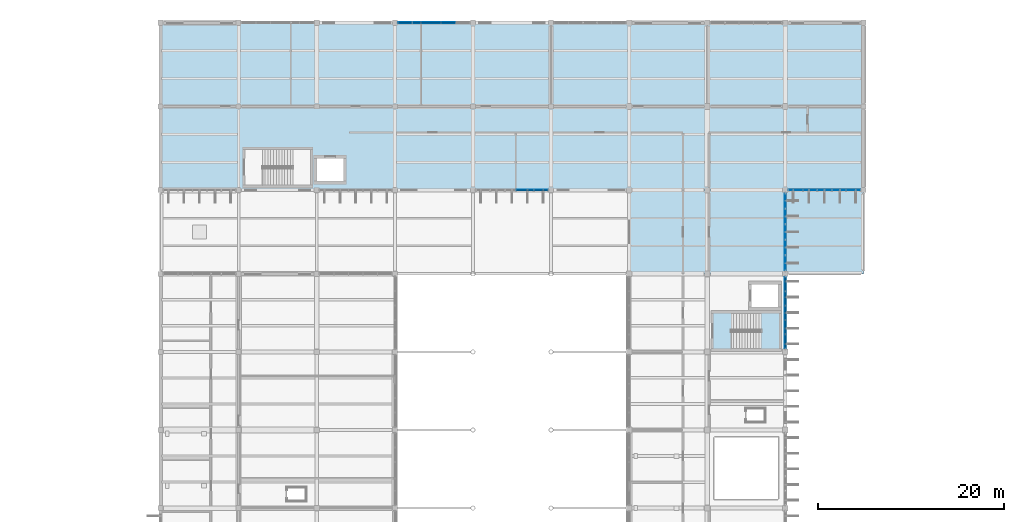
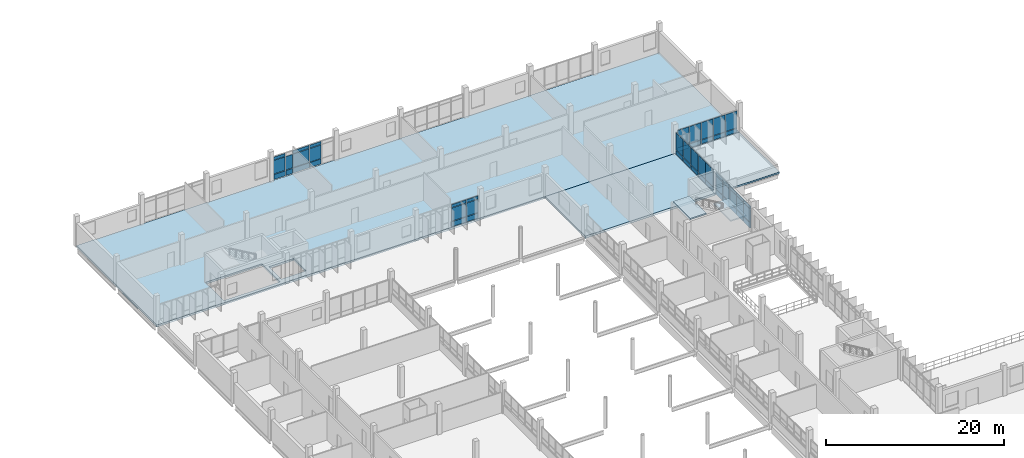
# One storey, part 101 of 130: 52 plates, 5 slabs, 2 openings, 6 elements without a shape of their own.
"""IFC4 building model written with IfcOpenShell, lengths in metres."""

from ifc_helpers import new_model, si_unit, direction, frame, origin, origin_2d, place, context, subcontext, project, spatial, polyline, rectangle, outline, extrude, material, layer, layer_set, type_object, element, aggregate, save


model = new_model("IFC4")

# Units and contexts
model_context = context("Model", 3, precision=1e-05, world=origin(), true_north=direction((0.0, 1.0)))
body_context = subcontext(model_context, "Body", "Model", "MODEL_VIEW")
ifc_project = project(units=[si_unit("LENGTHUNIT", "METRE"), si_unit("AREAUNIT", "SQUARE_METRE"), si_unit("VOLUMEUNIT", "CUBIC_METRE"), si_unit("PLANEANGLEUNIT", "RADIAN"), si_unit("MASSUNIT", "GRAM", prefix="KILO")], contexts=[model_context])

# Site, building, storey
site_placement = place(None, origin())
site = spatial("IfcSite", under=ifc_project, at=site_placement, CompositionType="ELEMENT")
building_placement = place(site_placement, origin())
building = spatial("IfcBuilding", under=site, at=building_placement, Name="Vireocrest Preparatory School", CompositionType="ELEMENT")
storey_placement = place(building_placement, frame((0.0, 0.0, 9.0)))
storey = spatial("IfcBuildingStorey", under=building, at=storey_placement, Name="L02", CompositionType="ELEMENT", Elevation=9.0)

# Curtain wall, plates
ifc_material_1 = material(Name="Thermally broken aluminium EN AW-6063-T6", Category="aluminium")
ifc_layer_1 = layer(ifc_material_1, 0.179931640625)
ifc_layer_set_1 = layer_set([ifc_layer_1], Name="Thermally broken aluminium EN AW-6063-T6")
curtain_wall_type_1 = type_object("IfcCurtainWallType", Name="Teaching Fin Curtain Wall 8400x4200", PredefinedType="USERDEFINED", material=ifc_layer_set_1)
curtain_wall_1_placement = place(storey_placement, origin())
curtain_wall_1 = element("IfcCurtainWall", 1, at=curtain_wall_1_placement, inside=storey, type_object=curtain_wall_type_1, Name="Curtain Wall CW03 CW_L02_CW03_1092_0777_090", ObjectType="CURTAIN WALL", PredefinedType="USERDEFINED")
ifc_material_2 = material(Name="Insulated triple low-e tempered safety glass", Category="glass")
ifc_layer_2 = layer(ifc_material_2, 0.074951171875)
ifc_layer_set_2 = layer_set([ifc_layer_2], Name="Insulated triple low-e tempered safety glass")
plate_type_1 = type_object("IfcPlateType", Name="Acoustic Triple-Glazed Lab Curtain Panel 75", PredefinedType="CURTAIN_PANEL", material=ifc_layer_set_2)
plate_1_placement = place(storey_placement, frame((109.199951171875, 78.508056640625, 0.882568359375), z_axis=(0.0, 0.0, 1.0), x_axis=(0.0, 1.0, 0.0)))
plate_1 = element("IfcPlate", 2, at=plate_1_placement, type_object=plate_type_1, Name="CW Panel GL2 CW_L02_CW03_1092_0777_090-1-2", PredefinedType="CURTAIN_PANEL", context=body_context, shape_type="SweptSolid", body=[
    extrude(rectangle(XDim=1.48095703125, YDim=0.074951171875, at=origin_2d()), origin(), (0.0, 0.0, 1.0), 1.77490234375),
])
plate_2_placement = place(storey_placement, frame((109.199951171875, 78.508056640625, 2.72265625), z_axis=(0.0, 0.0, 1.0), x_axis=(0.0, 1.0, 0.0)))
plate_2 = element("IfcPlate", 3, at=plate_2_placement, type_object=plate_type_1, Name="CW Panel GL2 CW_L02_CW03_1092_0777_090-1-3", PredefinedType="CURTAIN_PANEL", context=body_context, shape_type="SweptSolid", body=[
    extrude(rectangle(XDim=1.48095703125, YDim=0.074951171875, at=origin_2d()), origin(), (0.0, 0.0, 1.0), 0.409912109375),
])
plate_3_placement = place(storey_placement, frame((109.199951171875, 80.053955078125, 0.882568359375), z_axis=(0.0, 0.0, 1.0), x_axis=(0.0, 1.0, 0.0)))
plate_3 = element("IfcPlate", 4, at=plate_3_placement, type_object=plate_type_1, Name="CW Panel GL2 CW_L02_CW03_1092_0777_090-2-2", PredefinedType="CURTAIN_PANEL", context=body_context, shape_type="SweptSolid", body=[
    extrude(rectangle(XDim=1.48095703125, YDim=0.074951171875, at=origin_2d()), origin(), (0.0, 0.0, 1.0), 1.77490234375),
])
plate_4_placement = place(storey_placement, frame((109.199951171875, 80.053955078125, 2.72265625), z_axis=(0.0, 0.0, 1.0), x_axis=(0.0, 1.0, 0.0)))
plate_4 = element("IfcPlate", 5, at=plate_4_placement, type_object=plate_type_1, Name="CW Panel GL2 CW_L02_CW03_1092_0777_090-2-3", PredefinedType="CURTAIN_PANEL", context=body_context, shape_type="SweptSolid", body=[
    extrude(rectangle(XDim=1.48095703125, YDim=0.074951171875, at=origin_2d()), origin(), (0.0, 0.0, 1.0), 0.409912109375),
])
plate_5_placement = place(storey_placement, frame((109.199951171875, 81.60009765625, 0.882568359375), z_axis=(0.0, 0.0, 1.0), x_axis=(0.0, 1.0, 0.0)))
plate_5 = element("IfcPlate", 6, at=plate_5_placement, type_object=plate_type_1, Name="CW Panel GL2 CW_L02_CW03_1092_0777_090-3-2", PredefinedType="CURTAIN_PANEL", context=body_context, shape_type="SweptSolid", body=[
    extrude(rectangle(XDim=1.48095703125, YDim=0.074951171875, at=origin_2d()), origin(), (0.0, 0.0, 1.0), 1.77490234375),
])
plate_6_placement = place(storey_placement, frame((109.199951171875, 81.60009765625, 2.72265625), z_axis=(0.0, 0.0, 1.0), x_axis=(0.0, 1.0, 0.0)))
plate_6 = element("IfcPlate", 7, at=plate_6_placement, type_object=plate_type_1, Name="CW Panel GL2 CW_L02_CW03_1092_0777_090-3-3", PredefinedType="CURTAIN_PANEL", context=body_context, shape_type="SweptSolid", body=[
    extrude(rectangle(XDim=1.48095703125, YDim=0.074951171875, at=origin_2d()), origin(), (0.0, 0.0, 1.0), 0.409912109375),
])
plate_7_placement = place(storey_placement, frame((109.199951171875, 83.14599609375, 0.882568359375), z_axis=(0.0, 0.0, 1.0), x_axis=(0.0, 1.0, 0.0)))
plate_7 = element("IfcPlate", 8, at=plate_7_placement, type_object=plate_type_1, Name="CW Panel GL2 CW_L02_CW03_1092_0777_090-4-2", PredefinedType="CURTAIN_PANEL", context=body_context, shape_type="SweptSolid", body=[
    extrude(rectangle(XDim=1.48095703125, YDim=0.074951171875, at=origin_2d()), origin(), (0.0, 0.0, 1.0), 1.77490234375),
])
plate_8_placement = place(storey_placement, frame((109.199951171875, 83.14599609375, 2.72265625), z_axis=(0.0, 0.0, 1.0), x_axis=(0.0, 1.0, 0.0)))
plate_8 = element("IfcPlate", 9, at=plate_8_placement, type_object=plate_type_1, Name="CW Panel GL2 CW_L02_CW03_1092_0777_090-4-3", PredefinedType="CURTAIN_PANEL", context=body_context, shape_type="SweptSolid", body=[
    extrude(rectangle(XDim=1.48095703125, YDim=0.074951171875, at=origin_2d()), origin(), (0.0, 0.0, 1.0), 0.409912109375),
])
plate_9_placement = place(storey_placement, frame((109.199951171875, 84.69189453125, 0.882568359375), z_axis=(0.0, 0.0, 1.0), x_axis=(0.0, 1.0, 0.0)))
plate_9 = element("IfcPlate", 10, at=plate_9_placement, type_object=plate_type_1, Name="CW Panel GL2 CW_L02_CW03_1092_0777_090-5-2", PredefinedType="CURTAIN_PANEL", context=body_context, shape_type="SweptSolid", body=[
    extrude(rectangle(XDim=1.48095703125, YDim=0.074951171875, at=origin_2d()), origin(), (0.0, 0.0, 1.0), 1.77490234375),
])
plate_10_placement = place(storey_placement, frame((109.199951171875, 84.69189453125, 2.72265625), z_axis=(0.0, 0.0, 1.0), x_axis=(0.0, 1.0, 0.0)))
plate_10 = element("IfcPlate", 11, at=plate_10_placement, type_object=plate_type_1, Name="CW Panel GL2 CW_L02_CW03_1092_0777_090-5-3", PredefinedType="CURTAIN_PANEL", context=body_context, shape_type="SweptSolid", body=[
    extrude(rectangle(XDim=1.48095703125, YDim=0.074951171875, at=origin_2d()), origin(), (0.0, 0.0, 1.0), 0.409912109375),
])

ifc_layer_3 = layer(ifc_material_1, 0.179931640625)
ifc_layer_set_3 = layer_set([ifc_layer_3], Name="Thermally broken aluminium EN AW-6063-T6")
curtain_wall_type_2 = type_object("IfcCurtainWallType", Name="Side Facade Curtain Wall 9000x4200", PredefinedType="USERDEFINED", material=ifc_layer_set_3)
curtain_wall_2_placement = place(storey_placement, origin())
curtain_wall_2 = element("IfcCurtainWall", 12, at=curtain_wall_2_placement, inside=storey, type_object=curtain_wall_type_2, Name="Curtain Wall CW07 CW_L02_CW07_1092_0861_090", ObjectType="CURTAIN WALL", PredefinedType="USERDEFINED")
plate_11_placement = place(storey_placement, frame((109.199951171875, 86.968017578125, 0.12744140625), z_axis=(0.0, 0.0, 1.0), x_axis=(0.0, 1.0, 0.0)))
plate_11 = element("IfcPlate", 13, at=plate_11_placement, type_object=plate_type_1, Name="CW Panel GL2 CW_L02_CW07_1092_0861_090-1-1", PredefinedType="CURTAIN_PANEL", context=body_context, shape_type="SweptSolid", body=[
    extrude(rectangle(XDim=1.60107421875, YDim=0.074951171875, at=origin_2d()), origin(), (0.0, 0.0, 1.0), 0.5400390625),
])
plate_12_placement = place(storey_placement, frame((109.199951171875, 86.968017578125, 0.732421875), z_axis=(0.0, 0.0, 1.0), x_axis=(0.0, 1.0, 0.0)))
plate_12 = element("IfcPlate", 14, at=plate_12_placement, type_object=plate_type_1, Name="CW Panel GL2 CW_L02_CW07_1092_0861_090-1-2", PredefinedType="CURTAIN_PANEL", context=body_context, shape_type="SweptSolid", body=[
    extrude(rectangle(XDim=1.60107421875, YDim=0.074951171875, at=origin_2d()), origin(), (0.0, 0.0, 1.0), 2.35009765625),
])
plate_13_placement = place(storey_placement, frame((109.199951171875, 88.634033203125, 0.12744140625), z_axis=(0.0, 0.0, 1.0), x_axis=(0.0, 1.0, 0.0)))
plate_13 = element("IfcPlate", 15, at=plate_13_placement, type_object=plate_type_1, Name="CW Panel GL2 CW_L02_CW07_1092_0861_090-2-1", PredefinedType="CURTAIN_PANEL", context=body_context, shape_type="SweptSolid", body=[
    extrude(rectangle(XDim=1.60107421875, YDim=0.074951171875, at=origin_2d()), origin(), (0.0, 0.0, 1.0), 0.5400390625),
])
plate_14_placement = place(storey_placement, frame((109.199951171875, 88.634033203125, 0.732421875), z_axis=(0.0, 0.0, 1.0), x_axis=(0.0, 1.0, 0.0)))
plate_14 = element("IfcPlate", 16, at=plate_14_placement, type_object=plate_type_1, Name="CW Panel GL2 CW_L02_CW07_1092_0861_090-2-2", PredefinedType="CURTAIN_PANEL", context=body_context, shape_type="SweptSolid", body=[
    extrude(rectangle(XDim=1.60107421875, YDim=0.074951171875, at=origin_2d()), origin(), (0.0, 0.0, 1.0), 2.35009765625),
])
plate_15_placement = place(storey_placement, frame((109.199951171875, 90.300048828125, 0.12744140625), z_axis=(0.0, 0.0, 1.0), x_axis=(0.0, 1.0, 0.0)))
plate_15 = element("IfcPlate", 17, at=plate_15_placement, type_object=plate_type_1, Name="CW Panel GL2 CW_L02_CW07_1092_0861_090-3-1", PredefinedType="CURTAIN_PANEL", context=body_context, shape_type="SweptSolid", body=[
    extrude(rectangle(XDim=1.60107421875, YDim=0.074951171875, at=origin_2d()), origin(), (0.0, 0.0, 1.0), 0.5400390625),
])
plate_16_placement = place(storey_placement, frame((109.199951171875, 90.300048828125, 0.732421875), z_axis=(0.0, 0.0, 1.0), x_axis=(0.0, 1.0, 0.0)))
plate_16 = element("IfcPlate", 18, at=plate_16_placement, type_object=plate_type_1, Name="CW Panel GL2 CW_L02_CW07_1092_0861_090-3-2", PredefinedType="CURTAIN_PANEL", context=body_context, shape_type="SweptSolid", body=[
    extrude(rectangle(XDim=1.60107421875, YDim=0.074951171875, at=origin_2d()), origin(), (0.0, 0.0, 1.0), 2.35009765625),
])
plate_17_placement = place(storey_placement, frame((109.199951171875, 91.966064453125, 0.12744140625), z_axis=(0.0, 0.0, 1.0), x_axis=(0.0, 1.0, 0.0)))
plate_17 = element("IfcPlate", 19, at=plate_17_placement, type_object=plate_type_1, Name="CW Panel GL2 CW_L02_CW07_1092_0861_090-4-1", PredefinedType="CURTAIN_PANEL", context=body_context, shape_type="SweptSolid", body=[
    extrude(rectangle(XDim=1.60107421875, YDim=0.074951171875, at=origin_2d()), origin(), (0.0, 0.0, 1.0), 0.5400390625),
])
plate_18_placement = place(storey_placement, frame((109.199951171875, 91.966064453125, 0.732421875), z_axis=(0.0, 0.0, 1.0), x_axis=(0.0, 1.0, 0.0)))
plate_18 = element("IfcPlate", 20, at=plate_18_placement, type_object=plate_type_1, Name="CW Panel GL2 CW_L02_CW07_1092_0861_090-4-2", PredefinedType="CURTAIN_PANEL", context=body_context, shape_type="SweptSolid", body=[
    extrude(rectangle(XDim=1.60107421875, YDim=0.074951171875, at=origin_2d()), origin(), (0.0, 0.0, 1.0), 2.35009765625),
])
plate_19_placement = place(storey_placement, frame((109.199951171875, 93.632080078125, 0.12744140625), z_axis=(0.0, 0.0, 1.0), x_axis=(0.0, 1.0, 0.0)))
plate_19 = element("IfcPlate", 21, at=plate_19_placement, type_object=plate_type_1, Name="CW Panel GL2 CW_L02_CW07_1092_0861_090-5-1", PredefinedType="CURTAIN_PANEL", context=body_context, shape_type="SweptSolid", body=[
    extrude(rectangle(XDim=1.60107421875, YDim=0.074951171875, at=origin_2d()), origin(), (0.0, 0.0, 1.0), 0.5400390625),
])
plate_20_placement = place(storey_placement, frame((109.199951171875, 93.632080078125, 0.732421875), z_axis=(0.0, 0.0, 1.0), x_axis=(0.0, 1.0, 0.0)))
plate_20 = element("IfcPlate", 22, at=plate_20_placement, type_object=plate_type_1, Name="CW Panel GL2 CW_L02_CW07_1092_0861_090-5-2", PredefinedType="CURTAIN_PANEL", context=body_context, shape_type="SweptSolid", body=[
    extrude(rectangle(XDim=1.60107421875, YDim=0.074951171875, at=origin_2d()), origin(), (0.0, 0.0, 1.0), 2.35009765625),
])
aggregate(curtain_wall_2, [plate_11, plate_12, plate_13, plate_14, plate_15, plate_16, plate_17, plate_18, plate_19, plate_20])

ifc_layer_4 = layer(ifc_material_1, 0.179931640625)
ifc_layer_set_4 = layer_set([ifc_layer_4], Name="Thermally broken aluminium EN AW-6063-T6")
curtain_wall_type_3 = type_object("IfcCurtainWallType", Name="Side Banded Curtain Wall 9000x3200", PredefinedType="USERDEFINED", material=ifc_layer_set_4)
curtain_wall_3_placement = place(storey_placement, origin())
curtain_wall_3 = element("IfcCurtainWall", 23, at=curtain_wall_3_placement, inside=storey, type_object=curtain_wall_type_3, Name="Curtain Wall CW09 CW_L02_CW09_1095_0948_090", ObjectType="CURTAIN WALL", PredefinedType="USERDEFINED")
plate_21_placement = place(storey_placement, frame((110.310546875, 94.800048828125, 0.12744140625), z_axis=(0.0, 0.0, 1.0), x_axis=(1.0, 0.0, 0.0)))
plate_21 = element("IfcPlate", 24, at=plate_21_placement, type_object=plate_type_1, Name="CW Panel GL2 CW_L02_CW09_1095_0948_090-1-1", PredefinedType="CURTAIN_PANEL", context=body_context, shape_type="SweptSolid", body=[
    extrude(rectangle(XDim=1.486083984375, YDim=0.074951171875, at=origin_2d()), origin(), (0.0, 0.0, 1.0), 0.5400390625),
])
plate_22_placement = place(storey_placement, frame((110.310546875, 94.800048828125, 0.732421875), z_axis=(0.0, 0.0, 1.0), x_axis=(1.0, 0.0, 0.0)))
plate_22 = element("IfcPlate", 25, at=plate_22_placement, type_object=plate_type_1, Name="CW Panel GL2 CW_L02_CW09_1095_0948_090-1-2", PredefinedType="CURTAIN_PANEL", context=body_context, shape_type="SweptSolid", body=[
    extrude(rectangle(XDim=1.486083984375, YDim=0.074951171875, at=origin_2d()), origin(), (0.0, 0.0, 1.0), 2.320068359375),
])
plate_23_placement = place(storey_placement, frame((111.861572265625, 94.800048828125, 0.12744140625), z_axis=(0.0, 0.0, 1.0), x_axis=(1.0, 0.0, 0.0)))
plate_23 = element("IfcPlate", 26, at=plate_23_placement, type_object=plate_type_1, Name="CW Panel GL2 CW_L02_CW09_1095_0948_090-2-1", PredefinedType="CURTAIN_PANEL", context=body_context, shape_type="SweptSolid", body=[
    extrude(rectangle(XDim=1.486083984375, YDim=0.074951171875, at=origin_2d()), origin(), (0.0, 0.0, 1.0), 0.5400390625),
])
plate_24_placement = place(storey_placement, frame((111.861572265625, 94.800048828125, 0.732421875), z_axis=(0.0, 0.0, 1.0), x_axis=(1.0, 0.0, 0.0)))
plate_24 = element("IfcPlate", 27, at=plate_24_placement, type_object=plate_type_1, Name="CW Panel GL2 CW_L02_CW09_1095_0948_090-2-2", PredefinedType="CURTAIN_PANEL", context=body_context, shape_type="SweptSolid", body=[
    extrude(rectangle(XDim=1.486083984375, YDim=0.074951171875, at=origin_2d()), origin(), (0.0, 0.0, 1.0), 2.320068359375),
])
plate_25_placement = place(storey_placement, frame((113.41259765625, 94.800048828125, 0.12744140625), z_axis=(0.0, 0.0, 1.0), x_axis=(1.0, 0.0, 0.0)))
plate_25 = element("IfcPlate", 28, at=plate_25_placement, type_object=plate_type_1, Name="CW Panel GL2 CW_L02_CW09_1095_0948_090-3-1", PredefinedType="CURTAIN_PANEL", context=body_context, shape_type="SweptSolid", body=[
    extrude(rectangle(XDim=1.486083984375, YDim=0.074951171875, at=origin_2d()), origin(), (0.0, 0.0, 1.0), 0.5400390625),
])
plate_26_placement = place(storey_placement, frame((113.41259765625, 94.800048828125, 0.732421875), z_axis=(0.0, 0.0, 1.0), x_axis=(1.0, 0.0, 0.0)))
plate_26 = element("IfcPlate", 29, at=plate_26_placement, type_object=plate_type_1, Name="CW Panel GL2 CW_L02_CW09_1095_0948_090-3-2", PredefinedType="CURTAIN_PANEL", context=body_context, shape_type="SweptSolid", body=[
    extrude(rectangle(XDim=1.486083984375, YDim=0.074951171875, at=origin_2d()), origin(), (0.0, 0.0, 1.0), 2.320068359375),
])
plate_27_placement = place(storey_placement, frame((114.96337890625, 94.800048828125, 0.12744140625), z_axis=(0.0, 0.0, 1.0), x_axis=(1.0, 0.0, 0.0)))
plate_27 = element("IfcPlate", 30, at=plate_27_placement, type_object=plate_type_1, Name="CW Panel GL2 CW_L02_CW09_1095_0948_090-4-1", PredefinedType="CURTAIN_PANEL", context=body_context, shape_type="SweptSolid", body=[
    extrude(rectangle(XDim=1.486083984375, YDim=0.074951171875, at=origin_2d()), origin(), (0.0, 0.0, 1.0), 0.5400390625),
])
plate_28_placement = place(storey_placement, frame((114.96337890625, 94.800048828125, 0.732421875), z_axis=(0.0, 0.0, 1.0), x_axis=(1.0, 0.0, 0.0)))
plate_28 = element("IfcPlate", 31, at=plate_28_placement, type_object=plate_type_1, Name="CW Panel GL2 CW_L02_CW09_1095_0948_090-4-2", PredefinedType="CURTAIN_PANEL", context=body_context, shape_type="SweptSolid", body=[
    extrude(rectangle(XDim=1.486083984375, YDim=0.074951171875, at=origin_2d()), origin(), (0.0, 0.0, 1.0), 2.320068359375),
])
plate_29_placement = place(storey_placement, frame((116.514404296875, 94.800048828125, 0.12744140625), z_axis=(0.0, 0.0, 1.0), x_axis=(1.0, 0.0, 0.0)))
plate_29 = element("IfcPlate", 32, at=plate_29_placement, type_object=plate_type_1, Name="CW Panel GL2 CW_L02_CW09_1095_0948_090-5-1", PredefinedType="CURTAIN_PANEL", context=body_context, shape_type="SweptSolid", body=[
    extrude(rectangle(XDim=1.486083984375, YDim=0.074951171875, at=origin_2d()), origin(), (0.0, 0.0, 1.0), 0.5400390625),
])
plate_30_placement = place(storey_placement, frame((116.514404296875, 94.800048828125, 0.732421875), z_axis=(0.0, 0.0, 1.0), x_axis=(1.0, 0.0, 0.0)))
plate_30 = element("IfcPlate", 33, at=plate_30_placement, type_object=plate_type_1, Name="CW Panel GL2 CW_L02_CW09_1095_0948_090-5-2", PredefinedType="CURTAIN_PANEL", context=body_context, shape_type="SweptSolid", body=[
    extrude(rectangle(XDim=1.486083984375, YDim=0.074951171875, at=origin_2d()), origin(), (0.0, 0.0, 1.0), 2.320068359375),
])
aggregate(curtain_wall_3, [plate_21, plate_22, plate_23, plate_24, plate_25, plate_26, plate_27, plate_28, plate_29, plate_30])

ifc_layer_5 = layer(ifc_material_1, 0.179931640625)
ifc_layer_set_5 = layer_set([ifc_layer_5], Name="Thermally broken aluminium EN AW-6063-T6")
curtain_wall_type_4 = type_object("IfcCurtainWallType", Name="North Street Curtain Wall 8400x4000", PredefinedType="USERDEFINED", material=ifc_layer_set_5)
curtain_wall_4_placement = place(storey_placement, origin())
curtain_wall_4 = element("IfcCurtainWall", 34, at=curtain_wall_4_placement, inside=storey, type_object=curtain_wall_type_4, Name="Curtain Wall CW05 CW_L02_CW05_0674_1128_090", ObjectType="CURTAIN WALL", PredefinedType="USERDEFINED")
plate_31_placement = place(storey_placement, frame((68.2880859375, 112.800048828125, 0.88232421875), z_axis=(0.0, 0.0, 1.0), x_axis=(1.0, 0.0, 0.0)))
plate_31 = element("IfcPlate", 35, at=plate_31_placement, type_object=plate_type_1, Name="CW Panel GL2 CW_L02_CW05_0674_1128_090-1-2", PredefinedType="CURTAIN_PANEL", context=body_context, shape_type="SweptSolid", body=[
    extrude(rectangle(XDim=1.490966796875, YDim=0.074951171875, at=origin_2d()), origin(), (0.0, 0.0, 1.0), 1.844970703125),
])
plate_32_placement = place(storey_placement, frame((68.2880859375, 112.800048828125, 2.79248046875), z_axis=(0.0, 0.0, 1.0), x_axis=(1.0, 0.0, 0.0)))
plate_32 = element("IfcPlate", 36, at=plate_32_placement, type_object=plate_type_1, Name="CW Panel GL2 CW_L02_CW05_0674_1128_090-1-3", PredefinedType="CURTAIN_PANEL", context=body_context, shape_type="SweptSolid", body=[
    extrude(rectangle(XDim=1.490966796875, YDim=0.074951171875, at=origin_2d()), origin(), (0.0, 0.0, 1.0), 0.409912109375),
])
plate_33_placement = place(storey_placement, frame((69.532958984375, 112.800048828125, 0.88232421875), z_axis=(0.0, 0.0, 1.0), x_axis=(1.0, 0.0, 0.0)))
plate_33 = element("IfcPlate", 37, at=plate_33_placement, type_object=plate_type_1, Name="CW Panel GL2 CW_L02_CW05_0674_1128_090-2-2", PredefinedType="CURTAIN_PANEL", context=body_context, shape_type="SweptSolid", body=[
    extrude(rectangle(XDim=0.868896484375, YDim=0.074951171875, at=origin_2d()), origin(), (0.0, 0.0, 1.0), 1.844970703125),
])
plate_34_placement = place(storey_placement, frame((71.089111328125, 112.800048828125, 0.88232421875), z_axis=(0.0, 0.0, 1.0), x_axis=(1.0, 0.0, 0.0)))
plate_34 = element("IfcPlate", 38, at=plate_34_placement, type_object=plate_type_1, Name="CW Panel GL2 CW_L02_CW05_0674_1128_090-3-2", PredefinedType="CURTAIN_PANEL", context=body_context, shape_type="SweptSolid", body=[
    extrude(rectangle(XDim=2.113037109375, YDim=0.074951171875, at=origin_2d()), origin(), (0.0, 0.0, 1.0), 1.844970703125),
])
plate_35_placement = place(storey_placement, frame((71.089111328125, 112.800048828125, 2.79248046875), z_axis=(0.0, 0.0, 1.0), x_axis=(1.0, 0.0, 0.0)))
plate_35 = element("IfcPlate", 39, at=plate_35_placement, type_object=plate_type_1, Name="CW Panel GL2 CW_L02_CW05_0674_1128_090-3-3", PredefinedType="CURTAIN_PANEL", context=body_context, shape_type="SweptSolid", body=[
    extrude(rectangle(XDim=2.113037109375, YDim=0.074951171875, at=origin_2d()), origin(), (0.0, 0.0, 1.0), 0.409912109375),
])
plate_36_placement = place(storey_placement, frame((72.9560546875, 112.800048828125, 0.88232421875), z_axis=(0.0, 0.0, 1.0), x_axis=(1.0, 0.0, 0.0)))
plate_36 = element("IfcPlate", 40, at=plate_36_placement, type_object=plate_type_1, Name="CW Panel GL2 CW_L02_CW05_0674_1128_090-4-2", PredefinedType="CURTAIN_PANEL", context=body_context, shape_type="SweptSolid", body=[
    extrude(rectangle(XDim=1.490966796875, YDim=0.074951171875, at=origin_2d()), origin(), (0.0, 0.0, 1.0), 1.844970703125),
])
plate_37_placement = place(storey_placement, frame((72.9560546875, 112.800048828125, 2.79248046875), z_axis=(0.0, 0.0, 1.0), x_axis=(1.0, 0.0, 0.0)))
plate_37 = element("IfcPlate", 41, at=plate_37_placement, type_object=plate_type_1, Name="CW Panel GL2 CW_L02_CW05_0674_1128_090-4-3", PredefinedType="CURTAIN_PANEL", context=body_context, shape_type="SweptSolid", body=[
    extrude(rectangle(XDim=1.490966796875, YDim=0.074951171875, at=origin_2d()), origin(), (0.0, 0.0, 1.0), 0.409912109375),
])

curtain_wall_5_placement = place(storey_placement, origin())
curtain_wall_5 = element("IfcCurtainWall", 42, at=curtain_wall_5_placement, inside=storey, type_object=curtain_wall_type_2, Name="Curtain Wall CW07 CW_L02_CW07_0758_0948_090", ObjectType="CURTAIN WALL", PredefinedType="USERDEFINED")
plate_38_placement = place(storey_placement, frame((81.1669921875, 94.800048828125, 0.882568359375), z_axis=(0.0, 0.0, 1.0), x_axis=(1.0, 0.0, 0.0)))
plate_38 = element("IfcPlate", 43, at=plate_38_placement, type_object=plate_type_1, Name="CW Panel GL2 CW_L02_CW07_0758_0948_090-4-2", PredefinedType="CURTAIN_PANEL", context=body_context, shape_type="SweptSolid", body=[
    extrude(rectangle(XDim=1.868896484375, YDim=0.074951171875, at=origin_2d()), origin(), (0.0, 0.0, 1.0), 1.794921875),
])
plate_39_placement = place(storey_placement, frame((81.1669921875, 94.800048828125, 2.74267578125), z_axis=(0.0, 0.0, 1.0), x_axis=(1.0, 0.0, 0.0)))
plate_39 = element("IfcPlate", 44, at=plate_39_placement, type_object=plate_type_1, Name="CW Panel GL2 CW_L02_CW07_0758_0948_090-4-3", PredefinedType="CURTAIN_PANEL", context=body_context, shape_type="SweptSolid", body=[
    extrude(rectangle(XDim=1.868896484375, YDim=0.074951171875, at=origin_2d()), origin(), (0.0, 0.0, 1.0), 0.409912109375),
])
plate_40_placement = place(storey_placement, frame((82.912109375, 94.800048828125, 0.882568359375), z_axis=(0.0, 0.0, 1.0), x_axis=(1.0, 0.0, 0.0)))
plate_40 = element("IfcPlate", 45, at=plate_40_placement, type_object=plate_type_1, Name="CW Panel GL2 CW_L02_CW07_0758_0948_090-5-2", PredefinedType="CURTAIN_PANEL", context=body_context, shape_type="SweptSolid", body=[
    extrude(rectangle(XDim=1.490966796875, YDim=0.074951171875, at=origin_2d()), origin(), (0.0, 0.0, 1.0), 1.794921875),
])
plate_41_placement = place(storey_placement, frame((82.912109375, 94.800048828125, 2.74267578125), z_axis=(0.0, 0.0, 1.0), x_axis=(1.0, 0.0, 0.0)))
plate_41 = element("IfcPlate", 46, at=plate_41_placement, type_object=plate_type_1, Name="CW Panel GL2 CW_L02_CW07_0758_0948_090-5-3", PredefinedType="CURTAIN_PANEL", context=body_context, shape_type="SweptSolid", body=[
    extrude(rectangle(XDim=1.490966796875, YDim=0.074951171875, at=origin_2d()), origin(), (0.0, 0.0, 1.0), 0.409912109375),
])

# Slab, openings
ifc_material_3 = material(Name="Concrete 40 MPa", Category="concrete")
ifc_layer_6 = layer(ifc_material_3, 0.280029296875)
ifc_layer_set_6 = layer_set([ifc_layer_6], Name="Concrete 40 MPa")
slab_type_1 = type_object("IfcSlabType", Name="Commons and Corridor Suspended RC Slab 280", PredefinedType="FLOOR", material=ifc_layer_set_6)
slab_1_placement = place(storey_placement, frame((0.0, 0.0, -0.280029296875)))
slab_1 = element("IfcSlab", 47, at=slab_1_placement, inside=storey, type_object=slab_type_1, Name="Slab L02_NORTH_BAR", PredefinedType="FLOOR", context=body_context, shape_type="SweptSolid", body=[
    extrude(outline(polyline([(42.0, 94.800048828125), (117.60009765625, 94.800048828125), (117.60009765625, 112.800048828125), (42.0, 112.800048828125), (42.0, 94.800048828125)])), origin(), (0.0, 0.0, 1.0), 0.280029296875),
])
opening_1_placement = place(slab_1_placement, frame((0.0, 0.0, -0.010009765625)))
element("IfcOpeningElement", 48, at=opening_1_placement, cuts=slab_1, Name="Slab Opening SLAB_L02_NORTH_BAR-1", PredefinedType="OPENING", context=body_context, shape_type="SweptSolid", body=[
    extrude(outline(polyline([(50.949951171875, 95.199951171875), (58.25, 95.199951171875), (58.25, 99.300048828125), (50.949951171875, 99.300048828125), (50.949951171875, 95.199951171875)])), origin(), (0.0, 0.0, 1.0), 0.300048828125),
])
opening_2_placement = place(slab_1_placement, frame((0.0, 0.0, -0.010009765625)))
element("IfcOpeningElement", 49, at=opening_2_placement, cuts=slab_1, Name="Slab Opening SLAB_L02_NORTH_BAR-2", PredefinedType="OPENING", context=body_context, shape_type="SweptSolid", body=[
    extrude(outline(polyline([(58.64990234375, 95.60009765625), (61.85009765625, 95.60009765625), (61.85009765625, 98.39990234375), (58.64990234375, 98.39990234375), (58.64990234375, 95.60009765625)])), origin(), (0.0, 0.0, 1.0), 0.300048828125),
])

# Slab
ifc_layer_7 = layer(ifc_material_3, 0.219970703125)
ifc_layer_set_7 = layer_set([ifc_layer_7], Name="Concrete 40 MPa")
slab_type_2 = type_object("IfcSlabType", Name="Insulated Flat Concrete Roof Slab 220", PredefinedType="ROOF", material=ifc_layer_set_7)
slab_2_placement = place(storey_placement, frame((0.0, 0.0, -0.219970703125)))
element("IfcSlab", 50, at=slab_2_placement, inside=storey, type_object=slab_type_2, Name="Slab L02_NORTH_EAST_TIP_ROOF", PredefinedType="ROOF", context=body_context, shape_type="SweptSolid", body=[
    extrude(outline(polyline([(109.199951171875, 85.800048828125), (117.60009765625, 85.800048828125), (117.60009765625, 94.800048828125), (109.199951171875, 94.800048828125), (109.199951171875, 85.800048828125)])), origin(), (0.0, 0.0, 1.0), 0.219970703125),
])

# Plate
ifc_material_4 = material(Name="Painted white aluminium cladding EN AW-6063-T6", Category="aluminium")
ifc_layer_8 = layer(ifc_material_4, 0.114990234375)
ifc_layer_set_8 = layer_set([ifc_layer_8], Name="Painted white aluminium cladding EN AW-6063-T6")
plate_type_2 = type_object("IfcPlateType", Name="Insulated White Spandrel Curtain Panel 115", PredefinedType="CURTAIN_PANEL", material=ifc_layer_set_8)
plate_42_placement = place(storey_placement, frame((109.199951171875, 78.508056640625, 0.12744140625), z_axis=(0.0, 0.0, 1.0), x_axis=(0.0, 1.0, 0.0)))
plate_42 = element("IfcPlate", 51, at=plate_42_placement, type_object=plate_type_2, Name="CW Panel SP2 CW_L02_CW03_1092_0777_090-1-1", PredefinedType="CURTAIN_PANEL", context=body_context, shape_type="SweptSolid", body=[
    extrude(rectangle(XDim=1.48095703125, YDim=0.114990234375, at=origin_2d()), origin(), (0.0, 0.0, 1.0), 0.68994140625),
])

plate_43_placement = place(storey_placement, frame((109.199951171875, 80.053955078125, 0.12744140625), z_axis=(0.0, 0.0, 1.0), x_axis=(0.0, 1.0, 0.0)))
plate_43 = element("IfcPlate", 52, at=plate_43_placement, type_object=plate_type_2, Name="CW Panel SP2 CW_L02_CW03_1092_0777_090-2-1", PredefinedType="CURTAIN_PANEL", context=body_context, shape_type="SweptSolid", body=[
    extrude(rectangle(XDim=1.48095703125, YDim=0.114990234375, at=origin_2d()), origin(), (0.0, 0.0, 1.0), 0.68994140625),
])

plate_44_placement = place(storey_placement, frame((109.199951171875, 81.60009765625, 0.12744140625), z_axis=(0.0, 0.0, 1.0), x_axis=(0.0, 1.0, 0.0)))
plate_44 = element("IfcPlate", 53, at=plate_44_placement, type_object=plate_type_2, Name="CW Panel SP2 CW_L02_CW03_1092_0777_090-3-1", PredefinedType="CURTAIN_PANEL", context=body_context, shape_type="SweptSolid", body=[
    extrude(rectangle(XDim=1.48095703125, YDim=0.114990234375, at=origin_2d()), origin(), (0.0, 0.0, 1.0), 0.68994140625),
])

plate_45_placement = place(storey_placement, frame((109.199951171875, 83.14599609375, 0.12744140625), z_axis=(0.0, 0.0, 1.0), x_axis=(0.0, 1.0, 0.0)))
plate_45 = element("IfcPlate", 54, at=plate_45_placement, type_object=plate_type_2, Name="CW Panel SP2 CW_L02_CW03_1092_0777_090-4-1", PredefinedType="CURTAIN_PANEL", context=body_context, shape_type="SweptSolid", body=[
    extrude(rectangle(XDim=1.48095703125, YDim=0.114990234375, at=origin_2d()), origin(), (0.0, 0.0, 1.0), 0.68994140625),
])

plate_46_placement = place(storey_placement, frame((109.199951171875, 84.69189453125, 0.12744140625), z_axis=(0.0, 0.0, 1.0), x_axis=(0.0, 1.0, 0.0)))
plate_46 = element("IfcPlate", 55, at=plate_46_placement, type_object=plate_type_2, Name="CW Panel SP2 CW_L02_CW03_1092_0777_090-5-1", PredefinedType="CURTAIN_PANEL", context=body_context, shape_type="SweptSolid", body=[
    extrude(rectangle(XDim=1.48095703125, YDim=0.114990234375, at=origin_2d()), origin(), (0.0, 0.0, 1.0), 0.68994140625),
])

aggregate(curtain_wall_1, [plate_42, plate_1, plate_2, plate_43, plate_3, plate_4, plate_44, plate_5, plate_6, plate_45, plate_7, plate_8, plate_46, plate_9, plate_10])

plate_47_placement = place(storey_placement, frame((68.2880859375, 112.800048828125, 0.12744140625), z_axis=(0.0, 0.0, 1.0), x_axis=(1.0, 0.0, 0.0)))
plate_47 = element("IfcPlate", 56, at=plate_47_placement, type_object=plate_type_2, Name="CW Panel SP2 CW_L02_CW05_0674_1128_090-1-1", PredefinedType="CURTAIN_PANEL", context=body_context, shape_type="SweptSolid", body=[
    extrude(rectangle(XDim=1.490966796875, YDim=0.114990234375, at=origin_2d()), origin(), (0.0, 0.0, 1.0), 0.68994140625),
])

plate_48_placement = place(storey_placement, frame((69.532958984375, 112.800048828125, 0.12744140625), z_axis=(0.0, 0.0, 1.0), x_axis=(1.0, 0.0, 0.0)))
plate_48 = element("IfcPlate", 57, at=plate_48_placement, type_object=plate_type_2, Name="CW Panel SP2 CW_L02_CW05_0674_1128_090-2-1", PredefinedType="CURTAIN_PANEL", context=body_context, shape_type="SweptSolid", body=[
    extrude(rectangle(XDim=0.868896484375, YDim=0.114990234375, at=origin_2d()), origin(), (0.0, 0.0, 1.0), 0.68994140625),
])

plate_49_placement = place(storey_placement, frame((71.089111328125, 112.800048828125, 0.12744140625), z_axis=(0.0, 0.0, 1.0), x_axis=(1.0, 0.0, 0.0)))
plate_49 = element("IfcPlate", 58, at=plate_49_placement, type_object=plate_type_2, Name="CW Panel SP2 CW_L02_CW05_0674_1128_090-3-1", PredefinedType="CURTAIN_PANEL", context=body_context, shape_type="SweptSolid", body=[
    extrude(rectangle(XDim=2.113037109375, YDim=0.114990234375, at=origin_2d()), origin(), (0.0, 0.0, 1.0), 0.68994140625),
])

plate_50_placement = place(storey_placement, frame((72.9560546875, 112.800048828125, 0.12744140625), z_axis=(0.0, 0.0, 1.0), x_axis=(1.0, 0.0, 0.0)))
plate_50 = element("IfcPlate", 59, at=plate_50_placement, type_object=plate_type_2, Name="CW Panel SP2 CW_L02_CW05_0674_1128_090-4-1", PredefinedType="CURTAIN_PANEL", context=body_context, shape_type="SweptSolid", body=[
    extrude(rectangle(XDim=1.490966796875, YDim=0.114990234375, at=origin_2d()), origin(), (0.0, 0.0, 1.0), 0.68994140625),
])

aggregate(curtain_wall_4, [plate_47, plate_31, plate_32, plate_48, plate_33, plate_49, plate_34, plate_35, plate_50, plate_36, plate_37])

plate_51_placement = place(storey_placement, frame((81.1669921875, 94.800048828125, 0.12744140625), z_axis=(0.0, 0.0, 1.0), x_axis=(1.0, 0.0, 0.0)))
plate_51 = element("IfcPlate", 60, at=plate_51_placement, type_object=plate_type_2, Name="CW Panel SP2 CW_L02_CW07_0758_0948_090-4-1", PredefinedType="CURTAIN_PANEL", context=body_context, shape_type="SweptSolid", body=[
    extrude(rectangle(XDim=1.868896484375, YDim=0.114990234375, at=origin_2d()), origin(), (0.0, 0.0, 1.0), 0.68994140625),
])

plate_52_placement = place(storey_placement, frame((82.912109375, 94.800048828125, 0.12744140625), z_axis=(0.0, 0.0, 1.0), x_axis=(1.0, 0.0, 0.0)))
plate_52 = element("IfcPlate", 61, at=plate_52_placement, type_object=plate_type_2, Name="CW Panel SP2 CW_L02_CW07_0758_0948_090-5-1", PredefinedType="CURTAIN_PANEL", context=body_context, shape_type="SweptSolid", body=[
    extrude(rectangle(XDim=1.490966796875, YDim=0.114990234375, at=origin_2d()), origin(), (0.0, 0.0, 1.0), 0.68994140625),
])

aggregate(curtain_wall_5, [plate_51, plate_38, plate_39, plate_52, plate_40, plate_41])

# Slab
ifc_layer_9 = layer(ifc_material_3, 0.300048828125)
ifc_layer_set_9 = layer_set([ifc_layer_9], Name="Concrete 40 MPa")
slab_type_3 = type_object("IfcSlabType", Name="Library Stack Heavy RC Floor Slab 300", PredefinedType="FLOOR", material=ifc_layer_set_9)
slab_3_placement = place(storey_placement, frame((0.0, 0.0, -0.300048828125)))
element("IfcSlab", 62, at=slab_3_placement, inside=storey, type_object=slab_type_3, Name="Slab L02_EAST_NORTH_LINK", PredefinedType="FLOOR", context=body_context, shape_type="SweptSolid", body=[
    extrude(outline(polyline([(92.39990234375, 85.800048828125), (109.199951171875, 85.800048828125), (109.199951171875, 94.800048828125), (92.39990234375, 94.800048828125), (92.39990234375, 85.800048828125)])), origin(), (0.0, 0.0, 1.0), 0.300048828125),
])

# Stair, slabs
stair_type = type_object("IfcStairType", Name="Feature Library Stair 4200 Rise 1800 Wide", PredefinedType="HALF_TURN_STAIR", material=ifc_material_3)
stair_placement = place(storey_placement, origin())
stair = element("IfcStair", 63, at=stair_placement, inside=storey, type_object=stair_type, Name="Two-Run Stair ST4-L02", PredefinedType="HALF_TURN_STAIR")
ifc_layer_10 = layer(ifc_material_3, 0.179931640625)
ifc_layer_set_10 = layer_set([ifc_layer_10], Name="Concrete 40 MPa")
slab_type_4 = type_object("IfcSlabType", Name="Precast Concrete Stair Landing Slab 180", PredefinedType="LANDING", material=ifc_layer_set_10)
slab_4_placement = place(storey_placement, frame((0.0, 0.0, 1.919921875)))
slab_4 = element("IfcSlab", 64, at=slab_4_placement, type_object=slab_type_4, Name="Stair Half-Landing ST4-L02", PredefinedType="LANDING", context=body_context, shape_type="SweptSolid", body=[
    extrude(outline(polyline([(106.590087890625, 77.7099609375), (108.64501953125, 77.7099609375), (108.64501953125, 81.590087890625), (106.590087890625, 81.590087890625), (106.590087890625, 77.7099609375)])), origin(), (0.0, 0.0, 1.0), 0.18017578125),
])
slab_5_placement = place(storey_placement, frame((0.0, 0.0, 4.02001953125)))
slab_5 = element("IfcSlab", 65, at=slab_5_placement, type_object=slab_type_4, Name="Stair Arrival Landing ST4-L02", PredefinedType="LANDING", context=body_context, shape_type="SweptSolid", body=[
    extrude(outline(polyline([(101.35498046875, 77.7099609375), (103.465087890625, 77.7099609375), (103.465087890625, 81.590087890625), (101.35498046875, 81.590087890625), (101.35498046875, 77.7099609375)])), origin(), (0.0, 0.0, 1.0), 0.179931640625),
])
aggregate(stair, [slab_4, slab_5])

save(model, "model.ifc")
